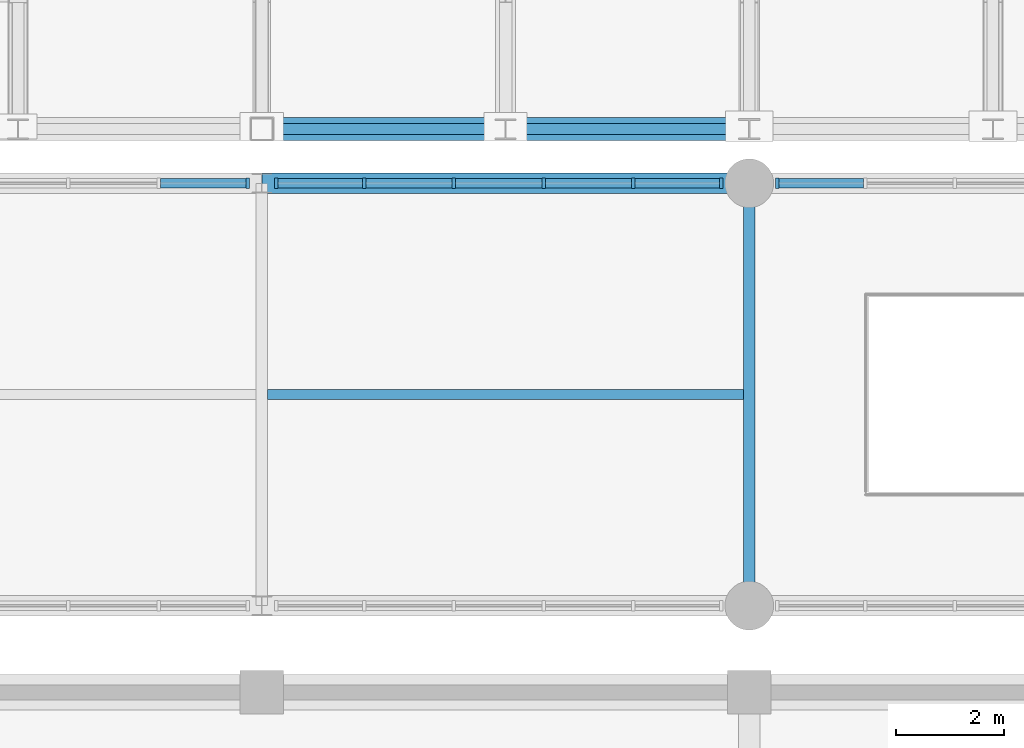
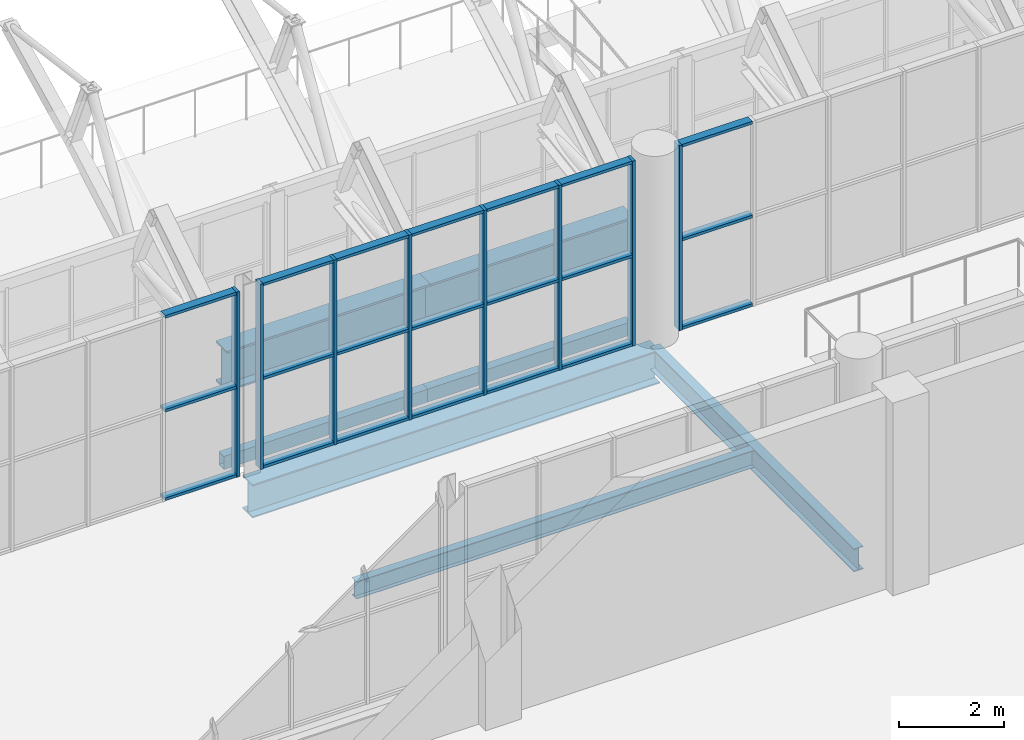
# One storey, part 41 of 134: 29 members, 7 beams, 3 elements without a shape of their own.
"""IFC4 building model written with IfcOpenShell, lengths in metres."""

from ifc_helpers import new_model, si_unit, direction, frame, origin, origin_2d, place, context, subcontext, project, spatial, rectangle, hollow_rectangle, i_section, extrude, material, layer, layer_set, material_profile, profile_set, type_object, element, aggregate, save


model = new_model("IFC4")

# Units and contexts
model_context = context("Model", 3, precision=1e-05, world=origin(), true_north=direction((0.0, 1.0)))
body_context = subcontext(model_context, "Body", "Model", "MODEL_VIEW")
ifc_project = project(units=[si_unit("LENGTHUNIT", "METRE"), si_unit("AREAUNIT", "SQUARE_METRE"), si_unit("VOLUMEUNIT", "CUBIC_METRE"), si_unit("PLANEANGLEUNIT", "RADIAN"), si_unit("MASSUNIT", "GRAM", prefix="KILO")], contexts=[model_context])

# Site, building, storey
site_placement = place(None, origin())
site = spatial("IfcSite", under=ifc_project, at=site_placement, CompositionType="ELEMENT")
building_placement = place(site_placement, origin())
building = spatial("IfcBuilding", under=site, at=building_placement, Name="Cazmaro Siding Exhibition Halls", CompositionType="ELEMENT")
storey_placement = place(building_placement, frame((0.0, 0.0, 12.0)))
storey = spatial("IfcBuildingStorey", under=building, at=storey_placement, Name="L02", CompositionType="ELEMENT", Elevation=12.0)

# Beam
ifc_material_1 = material(Name="Steel ASTM A992 Grade 50", Category="steel")
ifc_material_profile_1 = material_profile(ifc_material_1, i_section(OverallWidth=0.2099609375, OverallDepth=0.535888671875, WebThickness=0.010986328125, FlangeThickness=0.01708984375, at=origin_2d()), Name="W21X68")
ifc_profile_set_1 = profile_set([ifc_material_profile_1], Name="Steel ASTM A992 Grade 50")
beam_type_1 = type_object("IfcBeamType", Name="B-02", PredefinedType="BEAM", material=ifc_profile_set_1)
beam_1_placement = place(storey_placement, frame((126.0, 55.199951171875, -0.488037109375), z_axis=(0.0, 1.0, 0.0), x_axis=(-1.0, 0.0, 0.0)))
element("IfcBeam", 1, at=beam_1_placement, inside=storey, type_object=beam_type_1, Name="Beam B-02 BM-1715", PredefinedType="BEAM", context=body_context, shape_type="SweptSolid", body=[
    extrude(i_section(OverallWidth=0.2099609375, OverallDepth=0.535888671875, WebThickness=0.010986328125, FlangeThickness=0.01708984375, at=origin_2d()), origin(), (0.0, 0.0, 1.0), 7.800048828125),
])

# Curtain wall, member
ifc_material_2 = material(Name="Anodized Bronze Aluminum and Solar-Control Low-E Glazing", Category="aluminium")
ifc_layer = layer(ifc_material_2, 0.199951171875)
ifc_layer_set = layer_set([ifc_layer], Name="Anodized Bronze Aluminum and Solar-Control Low-E Glazing")
curtain_wall_type = type_object("IfcCurtainWallType", Name="CWS-02", PredefinedType="USERDEFINED", material=ifc_layer_set)
curtain_wall_1_placement = place(storey_placement, origin())
curtain_wall_1 = element("IfcCurtainWall", 2, at=curtain_wall_1_placement, inside=storey, type_object=curtain_wall_type, Name="Glazed Curtain Wall CWS-02 CW-184", ObjectType="GLAZED CURTAIN WALL", PredefinedType="USERDEFINED")
ifc_material_3 = material(Name="Anodized Bronze Extruded Aluminum", Category="aluminium")
ifc_material_profile_2 = material_profile(ifc_material_3, rectangle(XDim=0.199951171875, YDim=0.06494140625, at=origin_2d()), Name="CWM-02")
ifc_profile_set_2 = profile_set([ifc_material_profile_2], Name="Anodized Bronze Extruded Aluminum")
member_type_1 = type_object("IfcMemberType", Name="CWM-02", PredefinedType="MULLION", material=ifc_profile_set_2)
member_1_placement = place(storey_placement, frame((116.737548828125, 63.0, 0.0), z_axis=(0.0, 0.0, 1.0), x_axis=(0.0, -1.0, 0.0)))
member_1 = element("IfcMember", 3, at=member_1_placement, type_object=member_type_1, Name="CWS-02 mullion 1", PredefinedType="MULLION", context=body_context, shape_type="SweptSolid", body=[
    extrude(rectangle(XDim=0.199951171875, YDim=0.06494140625, at=origin_2d()), origin(), (0.0, 0.0, 1.0), 4.324951171875),
])

# Curtain wall, members
curtain_wall_2_placement = place(storey_placement, origin())
curtain_wall_2 = element("IfcCurtainWall", 4, at=curtain_wall_2_placement, inside=storey, type_object=curtain_wall_type, Name="Glazed Curtain Wall CWS-02 CW-189", ObjectType="GLAZED CURTAIN WALL", PredefinedType="USERDEFINED")
member_2_placement = place(storey_placement, frame((125.484619140625, 63.0, 0.0), z_axis=(0.0, 0.0, 1.0), x_axis=(0.0, -1.0, 0.0)))
member_2 = element("IfcMember", 5, at=member_2_placement, type_object=member_type_1, Name="CWS-02 mullion 1", PredefinedType="MULLION", context=body_context, shape_type="SweptSolid", body=[
    extrude(rectangle(XDim=0.199951171875, YDim=0.06494140625, at=origin_2d()), origin(), (0.0, 0.0, 1.0), 4.324951171875),
])
member_3_placement = place(storey_placement, frame((123.859619140625, 63.0, 0.0), z_axis=(0.0, 0.0, 1.0), x_axis=(0.0, -1.0, 0.0)))
member_3 = element("IfcMember", 6, at=member_3_placement, type_object=member_type_1, Name="CWS-02 mullion 2", PredefinedType="MULLION", context=body_context, shape_type="SweptSolid", body=[
    extrude(rectangle(XDim=0.199951171875, YDim=0.06494140625, at=origin_2d()), origin(), (0.0, 0.0, 1.0), 4.324951171875),
])
member_4_placement = place(storey_placement, frame((122.2021484375, 63.0, 0.0), z_axis=(0.0, 0.0, 1.0), x_axis=(0.0, -1.0, 0.0)))
member_4 = element("IfcMember", 7, at=member_4_placement, type_object=member_type_1, Name="CWS-02 mullion 3", PredefinedType="MULLION", context=body_context, shape_type="SweptSolid", body=[
    extrude(rectangle(XDim=0.199951171875, YDim=0.06494140625, at=origin_2d()), origin(), (0.0, 0.0, 1.0), 4.324951171875),
])
member_5_placement = place(storey_placement, frame((120.544921875, 63.0, 0.0), z_axis=(0.0, 0.0, 1.0), x_axis=(0.0, -1.0, 0.0)))
member_5 = element("IfcMember", 8, at=member_5_placement, type_object=member_type_1, Name="CWS-02 mullion 4", PredefinedType="MULLION", context=body_context, shape_type="SweptSolid", body=[
    extrude(rectangle(XDim=0.199951171875, YDim=0.06494140625, at=origin_2d()), origin(), (0.0, 0.0, 1.0), 4.324951171875),
])
member_6_placement = place(storey_placement, frame((118.887451171875, 63.0, 0.0), z_axis=(0.0, 0.0, 1.0), x_axis=(0.0, -1.0, 0.0)))
member_6 = element("IfcMember", 9, at=member_6_placement, type_object=member_type_1, Name="CWS-02 mullion 5", PredefinedType="MULLION", context=body_context, shape_type="SweptSolid", body=[
    extrude(rectangle(XDim=0.199951171875, YDim=0.06494140625, at=origin_2d()), origin(), (0.0, 0.0, 1.0), 4.324951171875),
])
member_7_placement = place(storey_placement, frame((117.262451171875, 63.0, 0.0), z_axis=(0.0, 0.0, 1.0), x_axis=(0.0, -1.0, 0.0)))
member_7 = element("IfcMember", 10, at=member_7_placement, type_object=member_type_1, Name="CWS-02 mullion 6", PredefinedType="MULLION", context=body_context, shape_type="SweptSolid", body=[
    extrude(rectangle(XDim=0.199951171875, YDim=0.06494140625, at=origin_2d()), origin(), (0.0, 0.0, 1.0), 4.324951171875),
])

# Curtain wall, member
curtain_wall_3_placement = place(storey_placement, origin())
curtain_wall_3 = element("IfcCurtainWall", 11, at=curtain_wall_3_placement, inside=storey, type_object=curtain_wall_type, Name="Glazed Curtain Wall CWS-02 CW-195", ObjectType="GLAZED CURTAIN WALL", PredefinedType="USERDEFINED")
member_8_placement = place(storey_placement, frame((126.515380859375, 63.0, 0.0), z_axis=(0.0, 0.0, 1.0), x_axis=(0.0, -1.0, 0.0)))
member_8 = element("IfcMember", 12, at=member_8_placement, type_object=member_type_1, Name="CWS-02 mullion 6", PredefinedType="MULLION", context=body_context, shape_type="SweptSolid", body=[
    extrude(rectangle(XDim=0.199951171875, YDim=0.06494140625, at=origin_2d()), origin(), (0.0, 0.0, 1.0), 4.324951171875),
])

# Member
ifc_material_4 = material(Name="Anodized Bronze Extruded Aluminum", Category="aluminium")
ifc_material_profile_3 = material_profile(ifc_material_4, rectangle(XDim=0.179931640625, YDim=0.06494140625, at=origin_2d()), Name="CWT-02")
ifc_profile_set_3 = profile_set([ifc_material_profile_3], Name="Anodized Bronze Extruded Aluminum")
member_type_2 = type_object("IfcMemberType", Name="CWT-02", PredefinedType="MULLION", material=ifc_profile_set_3)
member_9_placement = place(storey_placement, frame((116.705078125, 63.0, 0.032470703125), z_axis=(-1.0, 0.0, 0.0), x_axis=(0.0, -1.0, 0.0)))
member_9 = element("IfcMember", 13, at=member_9_placement, type_object=member_type_2, Name="CWS-02 transom 1.1", ObjectType="TRANSOM", PredefinedType="USERDEFINED", context=body_context, shape_type="SweptSolid", body=[
    extrude(rectangle(XDim=0.179931640625, YDim=0.06494140625, at=origin_2d()), origin(), (0.0, 0.0, 1.0), 1.574951171875),
])

member_10_placement = place(storey_placement, frame((116.705078125, 63.0, 2.10009765625), z_axis=(-1.0, 0.0, 0.0), x_axis=(0.0, -1.0, 0.0)))
member_10 = element("IfcMember", 14, at=member_10_placement, type_object=member_type_2, Name="CWS-02 transom 1.2", ObjectType="TRANSOM", PredefinedType="USERDEFINED", context=body_context, shape_type="SweptSolid", body=[
    extrude(rectangle(XDim=0.179931640625, YDim=0.06494140625, at=origin_2d()), origin(), (0.0, 0.0, 1.0), 1.574951171875),
])

member_11_placement = place(storey_placement, frame((116.705078125, 63.0, 4.29248046875), z_axis=(-1.0, 0.0, 0.0), x_axis=(0.0, -1.0, 0.0)))
member_11 = element("IfcMember", 15, at=member_11_placement, type_object=member_type_2, Name="CWS-02 transom 1.3", ObjectType="TRANSOM", PredefinedType="USERDEFINED", context=body_context, shape_type="SweptSolid", body=[
    extrude(rectangle(XDim=0.179931640625, YDim=0.06494140625, at=origin_2d()), origin(), (0.0, 0.0, 1.0), 1.574951171875),
])

aggregate(curtain_wall_1, [member_1, member_9, member_10, member_11])

member_12_placement = place(storey_placement, frame((125.451904296875, 63.0, 0.032470703125), z_axis=(-1.0, 0.0, 0.0), x_axis=(0.0, -1.0, 0.0)))
member_12 = element("IfcMember", 16, at=member_12_placement, type_object=member_type_2, Name="CWS-02 transom 1.1", ObjectType="TRANSOM", PredefinedType="USERDEFINED", context=body_context, shape_type="SweptSolid", body=[
    extrude(rectangle(XDim=0.179931640625, YDim=0.06494140625, at=origin_2d()), origin(), (0.0, 0.0, 1.0), 1.559814453125),
])

member_13_placement = place(storey_placement, frame((125.451904296875, 63.0, 2.10009765625), z_axis=(-1.0, 0.0, 0.0), x_axis=(0.0, -1.0, 0.0)))
member_13 = element("IfcMember", 17, at=member_13_placement, type_object=member_type_2, Name="CWS-02 transom 1.2", ObjectType="TRANSOM", PredefinedType="USERDEFINED", context=body_context, shape_type="SweptSolid", body=[
    extrude(rectangle(XDim=0.179931640625, YDim=0.06494140625, at=origin_2d()), origin(), (0.0, 0.0, 1.0), 1.559814453125),
])

member_14_placement = place(storey_placement, frame((125.451904296875, 63.0, 4.29248046875), z_axis=(-1.0, 0.0, 0.0), x_axis=(0.0, -1.0, 0.0)))
member_14 = element("IfcMember", 18, at=member_14_placement, type_object=member_type_2, Name="CWS-02 transom 1.3", ObjectType="TRANSOM", PredefinedType="USERDEFINED", context=body_context, shape_type="SweptSolid", body=[
    extrude(rectangle(XDim=0.179931640625, YDim=0.06494140625, at=origin_2d()), origin(), (0.0, 0.0, 1.0), 1.559814453125),
])

member_15_placement = place(storey_placement, frame((123.8271484375, 63.0, 0.032470703125), z_axis=(-1.0, 0.0, 0.0), x_axis=(0.0, -1.0, 0.0)))
member_15 = element("IfcMember", 19, at=member_15_placement, type_object=member_type_2, Name="CWS-02 transom 2.1", ObjectType="TRANSOM", PredefinedType="USERDEFINED", context=body_context, shape_type="SweptSolid", body=[
    extrude(rectangle(XDim=0.179931640625, YDim=0.06494140625, at=origin_2d()), origin(), (0.0, 0.0, 1.0), 1.592529296875),
])

member_16_placement = place(storey_placement, frame((123.8271484375, 63.0, 2.10009765625), z_axis=(-1.0, 0.0, 0.0), x_axis=(0.0, -1.0, 0.0)))
member_16 = element("IfcMember", 20, at=member_16_placement, type_object=member_type_2, Name="CWS-02 transom 2.2", ObjectType="TRANSOM", PredefinedType="USERDEFINED", context=body_context, shape_type="SweptSolid", body=[
    extrude(rectangle(XDim=0.179931640625, YDim=0.06494140625, at=origin_2d()), origin(), (0.0, 0.0, 1.0), 1.592529296875),
])

member_17_placement = place(storey_placement, frame((123.8271484375, 63.0, 4.29248046875), z_axis=(-1.0, 0.0, 0.0), x_axis=(0.0, -1.0, 0.0)))
member_17 = element("IfcMember", 21, at=member_17_placement, type_object=member_type_2, Name="CWS-02 transom 2.3", ObjectType="TRANSOM", PredefinedType="USERDEFINED", context=body_context, shape_type="SweptSolid", body=[
    extrude(rectangle(XDim=0.179931640625, YDim=0.06494140625, at=origin_2d()), origin(), (0.0, 0.0, 1.0), 1.592529296875),
])

member_18_placement = place(storey_placement, frame((122.169677734375, 63.0, 0.032470703125), z_axis=(-1.0, 0.0, 0.0), x_axis=(0.0, -1.0, 0.0)))
member_18 = element("IfcMember", 22, at=member_18_placement, type_object=member_type_2, Name="CWS-02 transom 3.1", ObjectType="TRANSOM", PredefinedType="USERDEFINED", context=body_context, shape_type="SweptSolid", body=[
    extrude(rectangle(XDim=0.179931640625, YDim=0.06494140625, at=origin_2d()), origin(), (0.0, 0.0, 1.0), 1.59228515625),
])

member_19_placement = place(storey_placement, frame((122.169677734375, 63.0, 2.10009765625), z_axis=(-1.0, 0.0, 0.0), x_axis=(0.0, -1.0, 0.0)))
member_19 = element("IfcMember", 23, at=member_19_placement, type_object=member_type_2, Name="CWS-02 transom 3.2", ObjectType="TRANSOM", PredefinedType="USERDEFINED", context=body_context, shape_type="SweptSolid", body=[
    extrude(rectangle(XDim=0.179931640625, YDim=0.06494140625, at=origin_2d()), origin(), (0.0, 0.0, 1.0), 1.59228515625),
])

member_20_placement = place(storey_placement, frame((122.169677734375, 63.0, 4.29248046875), z_axis=(-1.0, 0.0, 0.0), x_axis=(0.0, -1.0, 0.0)))
member_20 = element("IfcMember", 24, at=member_20_placement, type_object=member_type_2, Name="CWS-02 transom 3.3", ObjectType="TRANSOM", PredefinedType="USERDEFINED", context=body_context, shape_type="SweptSolid", body=[
    extrude(rectangle(XDim=0.179931640625, YDim=0.06494140625, at=origin_2d()), origin(), (0.0, 0.0, 1.0), 1.59228515625),
])

member_21_placement = place(storey_placement, frame((120.51220703125, 63.0, 0.032470703125), z_axis=(-1.0, 0.0, 0.0), x_axis=(0.0, -1.0, 0.0)))
member_21 = element("IfcMember", 25, at=member_21_placement, type_object=member_type_2, Name="CWS-02 transom 4.1", ObjectType="TRANSOM", PredefinedType="USERDEFINED", context=body_context, shape_type="SweptSolid", body=[
    extrude(rectangle(XDim=0.179931640625, YDim=0.06494140625, at=origin_2d()), origin(), (0.0, 0.0, 1.0), 1.59228515625),
])

member_22_placement = place(storey_placement, frame((120.51220703125, 63.0, 2.10009765625), z_axis=(-1.0, 0.0, 0.0), x_axis=(0.0, -1.0, 0.0)))
member_22 = element("IfcMember", 26, at=member_22_placement, type_object=member_type_2, Name="CWS-02 transom 4.2", ObjectType="TRANSOM", PredefinedType="USERDEFINED", context=body_context, shape_type="SweptSolid", body=[
    extrude(rectangle(XDim=0.179931640625, YDim=0.06494140625, at=origin_2d()), origin(), (0.0, 0.0, 1.0), 1.59228515625),
])

member_23_placement = place(storey_placement, frame((120.51220703125, 63.0, 4.29248046875), z_axis=(-1.0, 0.0, 0.0), x_axis=(0.0, -1.0, 0.0)))
member_23 = element("IfcMember", 27, at=member_23_placement, type_object=member_type_2, Name="CWS-02 transom 4.3", ObjectType="TRANSOM", PredefinedType="USERDEFINED", context=body_context, shape_type="SweptSolid", body=[
    extrude(rectangle(XDim=0.179931640625, YDim=0.06494140625, at=origin_2d()), origin(), (0.0, 0.0, 1.0), 1.59228515625),
])

member_24_placement = place(storey_placement, frame((118.85498046875, 63.0, 0.032470703125), z_axis=(-1.0, 0.0, 0.0), x_axis=(0.0, -1.0, 0.0)))
member_24 = element("IfcMember", 28, at=member_24_placement, type_object=member_type_2, Name="CWS-02 transom 5.1", ObjectType="TRANSOM", PredefinedType="USERDEFINED", context=body_context, shape_type="SweptSolid", body=[
    extrude(rectangle(XDim=0.179931640625, YDim=0.06494140625, at=origin_2d()), origin(), (0.0, 0.0, 1.0), 1.56005859375),
])

member_25_placement = place(storey_placement, frame((118.85498046875, 63.0, 2.10009765625), z_axis=(-1.0, 0.0, 0.0), x_axis=(0.0, -1.0, 0.0)))
member_25 = element("IfcMember", 29, at=member_25_placement, type_object=member_type_2, Name="CWS-02 transom 5.2", ObjectType="TRANSOM", PredefinedType="USERDEFINED", context=body_context, shape_type="SweptSolid", body=[
    extrude(rectangle(XDim=0.179931640625, YDim=0.06494140625, at=origin_2d()), origin(), (0.0, 0.0, 1.0), 1.56005859375),
])

member_26_placement = place(storey_placement, frame((118.85498046875, 63.0, 4.29248046875), z_axis=(-1.0, 0.0, 0.0), x_axis=(0.0, -1.0, 0.0)))
member_26 = element("IfcMember", 30, at=member_26_placement, type_object=member_type_2, Name="CWS-02 transom 5.3", ObjectType="TRANSOM", PredefinedType="USERDEFINED", context=body_context, shape_type="SweptSolid", body=[
    extrude(rectangle(XDim=0.179931640625, YDim=0.06494140625, at=origin_2d()), origin(), (0.0, 0.0, 1.0), 1.56005859375),
])

aggregate(curtain_wall_2, [member_2, member_3, member_4, member_5, member_6, member_7, member_12, member_13, member_14, member_15, member_16, member_17, member_18, member_19, member_20, member_21, member_22, member_23, member_24, member_25, member_26])

member_27_placement = place(storey_placement, frame((128.10791015625, 63.0, 0.032470703125), z_axis=(-1.0, 0.0, 0.0), x_axis=(0.0, -1.0, 0.0)))
member_27 = element("IfcMember", 31, at=member_27_placement, type_object=member_type_2, Name="CWS-02 transom 5.1", ObjectType="TRANSOM", PredefinedType="USERDEFINED", context=body_context, shape_type="SweptSolid", body=[
    extrude(rectangle(XDim=0.179931640625, YDim=0.06494140625, at=origin_2d()), origin(), (0.0, 0.0, 1.0), 1.559814453125),
])

member_28_placement = place(storey_placement, frame((128.10791015625, 63.0, 2.10009765625), z_axis=(-1.0, 0.0, 0.0), x_axis=(0.0, -1.0, 0.0)))
member_28 = element("IfcMember", 32, at=member_28_placement, type_object=member_type_2, Name="CWS-02 transom 5.2", ObjectType="TRANSOM", PredefinedType="USERDEFINED", context=body_context, shape_type="SweptSolid", body=[
    extrude(rectangle(XDim=0.179931640625, YDim=0.06494140625, at=origin_2d()), origin(), (0.0, 0.0, 1.0), 1.559814453125),
])

member_29_placement = place(storey_placement, frame((128.10791015625, 63.0, 4.29248046875), z_axis=(-1.0, 0.0, 0.0), x_axis=(0.0, -1.0, 0.0)))
member_29 = element("IfcMember", 33, at=member_29_placement, type_object=member_type_2, Name="CWS-02 transom 5.3", ObjectType="TRANSOM", PredefinedType="USERDEFINED", context=body_context, shape_type="SweptSolid", body=[
    extrude(rectangle(XDim=0.179931640625, YDim=0.06494140625, at=origin_2d()), origin(), (0.0, 0.0, 1.0), 1.559814453125),
])

aggregate(curtain_wall_3, [member_8, member_27, member_28, member_29])

# Beams
ifc_material_5 = material(Name="Steel ASTM A992 Grade 50", Category="steel")
ifc_material_profile_4 = material_profile(ifc_material_5, i_section(OverallWidth=0.424072265625, OverallDepth=0.947021484375, WebThickness=0.02392578125, FlangeThickness=0.04296875, at=origin_2d()), Name="W36X302")
ifc_profile_set_4 = profile_set([ifc_material_profile_4], Name="Steel ASTM A992 Grade 50")
beam_type_2 = type_object("IfcBeamType", Name="G-01", PredefinedType="USERDEFINED", material=ifc_profile_set_4)
for number, where, z_axis, x_axis, name in (
    (34, (117.0, 64.0, 1.826904296875), (1.0, 0.0, 0.0), (0.0, 1.0, 0.0), "Beam G-01 BM-0159"),
    (35, (121.5, 64.0, 1.826904296875), (1.0, 0.0, 0.0), (0.0, 1.0, 0.0), "Beam G-01 BM-0165"),
):
    element("IfcBeam", number, at=place(storey_placement, frame(where, z_axis=z_axis, x_axis=x_axis)), inside=storey, type_object=beam_type_2, Name=name, ObjectType="GIRDER", PredefinedType="USERDEFINED", context=body_context, shape_type="SweptSolid", body=[
        extrude(i_section(OverallWidth=0.424072265625, OverallDepth=0.947021484375, WebThickness=0.02392578125, FlangeThickness=0.04296875, at=origin_2d()), origin(), (0.0, 0.0, 1.0), 4.5),
    ])
ifc_material_6 = material(Name="Steel ASTM A992 Grade 50", Category="steel")
ifc_material_profile_5 = material_profile(ifc_material_6, i_section(OverallWidth=0.381103515625, OverallDepth=0.779052734375, WebThickness=0.01806640625, FlangeThickness=0.030029296875, at=origin_2d()), Name="W30X191")
ifc_profile_set_5 = profile_set([ifc_material_profile_5], Name="Steel ASTM A992 Grade 50")
beam_type_3 = type_object("IfcBeamType", Name="G-04", PredefinedType="USERDEFINED", material=ifc_profile_set_5)
beam_2_placement = place(storey_placement, frame((117.0, 63.0, -0.610107421875), z_axis=(1.0, 0.0, 0.0), x_axis=(0.0, 1.0, 0.0)))
element("IfcBeam", 36, at=beam_2_placement, inside=storey, type_object=beam_type_3, Name="Beam G-04 BM-1648", ObjectType="GIRDER", PredefinedType="USERDEFINED", context=body_context, shape_type="SweptSolid", body=[
    extrude(i_section(OverallWidth=0.381103515625, OverallDepth=0.779052734375, WebThickness=0.01806640625, FlangeThickness=0.030029296875, at=origin_2d()), origin(), (0.0, 0.0, 1.0), 9.0),
])
ifc_material_7 = material(Name="Steel ASTM A992 Grade 50", Category="steel")
ifc_material_profile_6 = material_profile(ifc_material_7, i_section(OverallWidth=0.177978515625, OverallDepth=0.406005859375, WebThickness=0.008056640625, FlangeThickness=0.012939453125, at=origin_2d()), Name="W16X40")
ifc_profile_set_6 = profile_set([ifc_material_profile_6], Name="Steel ASTM A992 Grade 50")
beam_type_4 = type_object("IfcBeamType", Name="J-02", PredefinedType="JOIST", material=ifc_profile_set_6)
beam_3_placement = place(storey_placement, frame((117.10498046875, 59.10009765625, -0.423095703125), z_axis=(1.0, 0.0, 0.0), x_axis=(0.0, 1.0, 0.0)))
element("IfcBeam", 37, at=beam_3_placement, inside=storey, type_object=beam_type_4, Name="Beam J-02 BM-1649", PredefinedType="JOIST", context=body_context, shape_type="SweptSolid", body=[
    extrude(i_section(OverallWidth=0.177978515625, OverallDepth=0.406005859375, WebThickness=0.008056640625, FlangeThickness=0.012939453125, at=origin_2d()), origin(), (0.0, 0.0, 1.0), 8.7900390625),
])
ifc_material_8 = material(Name="Steel ASTM A500 Grade C", Category="steel")
ifc_material_profile_7 = material_profile(ifc_material_8, hollow_rectangle(XDim=0.202880859375, YDim=0.304931640625, WallThickness=0.011962890625, at=origin_2d()), Name="HSS12X8X1/2")
ifc_profile_set_7 = profile_set([ifc_material_profile_7], Name="Steel ASTM A500 Grade C")
beam_type_5 = type_object("IfcBeamType", Name="SP-01", PredefinedType="SPANDREL", material=ifc_profile_set_7)
for number, where, z_axis, x_axis, name in (
    (38, (117.0, 64.0, -0.373046875), (1.0, 0.0, 0.0), (0.0, 1.0, 0.0), "Beam SP-01 BM-0158"),
    (39, (121.5, 64.0, -0.373046875), (1.0, 0.0, 0.0), (0.0, 1.0, 0.0), "Beam SP-01 BM-0164"),
):
    element("IfcBeam", number, at=place(storey_placement, frame(where, z_axis=z_axis, x_axis=x_axis)), inside=storey, type_object=beam_type_5, Name=name, PredefinedType="SPANDREL", context=body_context, shape_type="SweptSolid", body=[
        extrude(hollow_rectangle(XDim=0.202880859375, YDim=0.304931640625, WallThickness=0.011962890625, at=origin_2d()), origin(), (0.0, 0.0, 1.0), 4.5),
    ])

save(model, "model.ifc")
